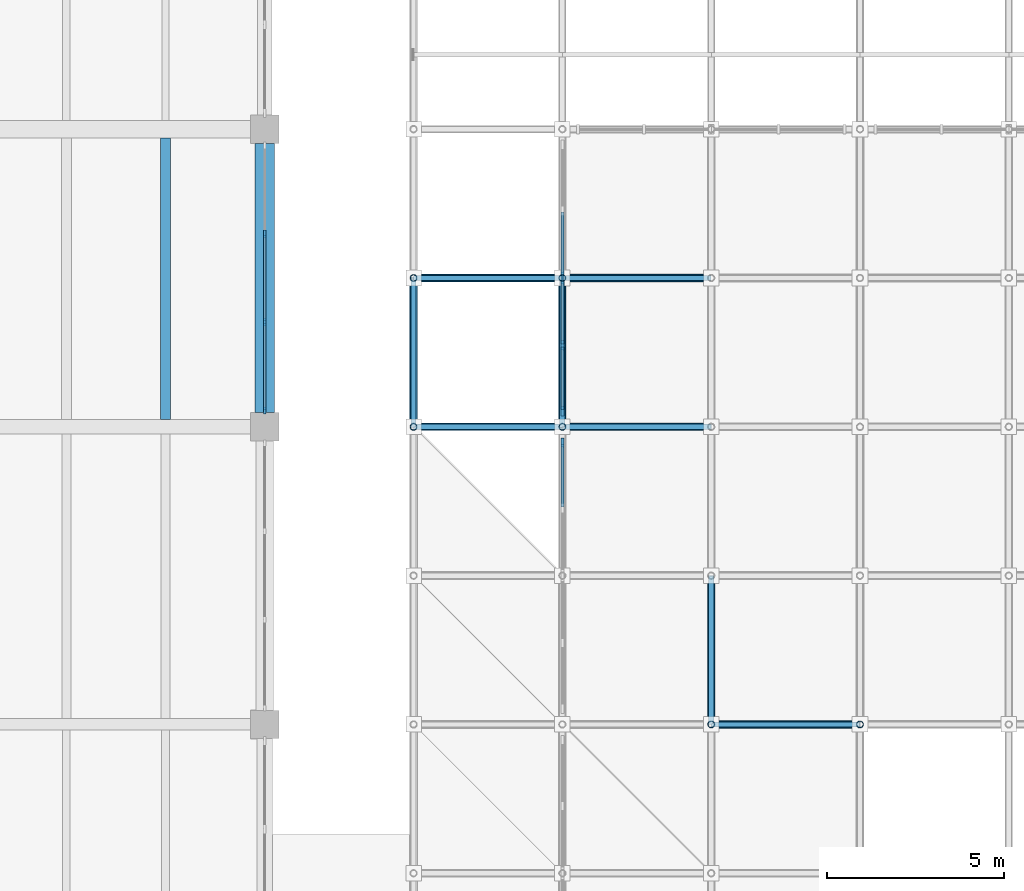
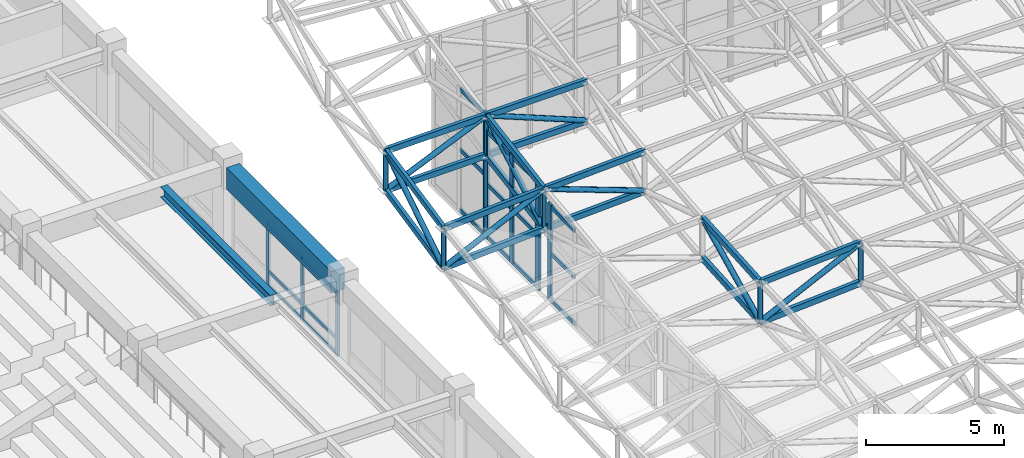
# One storey, part 27 of 132: 56 members, 2 beams, 4 elements without a shape of their own.
"""IFC4 building model written with IfcOpenShell, lengths in metres."""

from ifc_helpers import new_model, si_unit, direction, frame, origin, origin_2d, place, context, subcontext, project, spatial, rectangle, hollow_rectangle, hollow_circle, i_section, extrude, material, material_profile, profile_set, type_object, element, aggregate, save


model = new_model("IFC4")

# Units and contexts
model_context = context("Model", 3, precision=1e-05, world=origin(), true_north=direction((0.0, 1.0)))
body_context = subcontext(model_context, "Body", "Model", "MODEL_VIEW")
ifc_project = project(units=[si_unit("LENGTHUNIT", "METRE"), si_unit("AREAUNIT", "SQUARE_METRE"), si_unit("VOLUMEUNIT", "CUBIC_METRE"), si_unit("PLANEANGLEUNIT", "RADIAN"), si_unit("MASSUNIT", "GRAM", prefix="KILO")], contexts=[model_context])

# Site, building, storey
site_placement = place(None, origin())
site = spatial("IfcSite", under=ifc_project, at=site_placement, CompositionType="ELEMENT")
building_placement = place(site_placement, origin())
building = spatial("IfcBuilding", under=site, at=building_placement, Name="Cumbredor Promenade Congress Hotel", CompositionType="ELEMENT")
storey_placement = place(building_placement, frame((0.0, 0.0, 7.56005859375)))
storey = spatial("IfcBuildingStorey", under=building, at=storey_placement, Name="L02", CompositionType="ELEMENT", Elevation=7.56005859375)

# Beam
ifc_material_1 = material(Name="Concrete C40/50", Category="concrete")
ifc_material_profile_1 = material_profile(ifc_material_1, rectangle(XDim=0.550048828125, YDim=0.949951171875, at=origin_2d()), Name="RC BEAM 550x950")
ifc_profile_set_1 = profile_set([ifc_material_profile_1], Name="Concrete C40/50")
beam_type_1 = type_object("IfcBeamType", Name="BM-RC-550x950", PredefinedType="BEAM", material=ifc_profile_set_1)
beam_1_placement = place(storey_placement, frame((67.199951171875, 42.39990234375, 3.324951171875), z_axis=(0.0, 1.0, 0.0), x_axis=(-1.0, 0.0, 0.0)))
element("IfcBeam", 1, at=beam_1_placement, inside=storey, type_object=beam_type_1, Name="L03 Y-Grid Beam 119", PredefinedType="BEAM", context=body_context, shape_type="SweptSolid", body=[
    extrude(rectangle(XDim=0.550048828125, YDim=0.949951171875, at=origin_2d()), origin(), (0.0, 0.0, 1.0), 7.60009765625),
])

# Curtain wall, members
ifc_material_2 = material(Name="Thermally broken anodized aluminium and low-E glass", Category="aluminium")
curtain_wall_type_1 = type_object("IfcCurtainWallType", Name="Unitised Bronze Curtain Wall CW-01", PredefinedType="NOTDEFINED", material=ifc_material_2)
curtain_wall_1_placement = place(storey_placement, origin())
curtain_wall_1 = element("IfcCurtainWall", 2, at=curtain_wall_1_placement, inside=storey, type_object=curtain_wall_type_1, Name="L02 Plenary Congress Hall East Curtain Wall 5", PredefinedType="NOTDEFINED")
ifc_material_3 = material(Name="Thermally broken anodized aluminium", Category="aluminium")
ifc_material_profile_2 = material_profile(ifc_material_3, rectangle(XDim=0.074951171875, YDim=0.199951171875, at=origin_2d()), Name="ALU MULLION 75x200")
ifc_profile_set_2 = profile_set([ifc_material_profile_2], Name="Thermally broken anodized aluminium")
member_type_1 = type_object("IfcMemberType", Name="Curtain Wall Mullion ML-02", PredefinedType="MULLION", material=ifc_profile_set_2)
member_1_placement = place(storey_placement, frame((67.199951171875, 42.455078125, -0.008056640625), z_axis=(0.0, 0.0, 1.0), x_axis=(1.0, 0.0, 0.0)))
member_1 = element("IfcMember", 3, at=member_1_placement, type_object=member_type_1, Name="L02 Plenary Congress Hall East Curtain Wall 5 Mullion 1", PredefinedType="MULLION", context=body_context, shape_type="SweptSolid", body=[
    extrude(rectangle(XDim=0.074951171875, YDim=0.199951171875, at=origin_2d()), origin(), (0.0, 0.0, 1.0), 2.85107421875),
])
member_2_placement = place(storey_placement, frame((67.199951171875, 44.95166015625, -0.008056640625), z_axis=(0.0, 0.0, 1.0), x_axis=(1.0, 0.0, 0.0)))
member_2 = element("IfcMember", 4, at=member_2_placement, type_object=member_type_1, Name="L02 Plenary Congress Hall East Curtain Wall 5 Mullion 2", PredefinedType="MULLION", context=body_context, shape_type="SweptSolid", body=[
    extrude(rectangle(XDim=0.074951171875, YDim=0.199951171875, at=origin_2d()), origin(), (0.0, 0.0, 1.0), 2.85107421875),
])
member_3_placement = place(storey_placement, frame((67.199951171875, 47.4482421875, -0.008056640625), z_axis=(0.0, 0.0, 1.0), x_axis=(1.0, 0.0, 0.0)))
member_3 = element("IfcMember", 5, at=member_3_placement, type_object=member_type_1, Name="L02 Plenary Congress Hall East Curtain Wall 5 Mullion 3", PredefinedType="MULLION", context=body_context, shape_type="SweptSolid", body=[
    extrude(rectangle(XDim=0.074951171875, YDim=0.199951171875, at=origin_2d()), origin(), (0.0, 0.0, 1.0), 2.85107421875),
])

# Curtain wall, member
curtain_wall_type_2 = type_object("IfcCurtainWallType", Name="Stepped Pavilion Clerestory Curtain Wall CW-06", PredefinedType="NOTDEFINED", material=ifc_material_2)
curtain_wall_2_placement = place(storey_placement, origin())
curtain_wall_2 = element("IfcCurtainWall", 6, at=curtain_wall_2_placement, inside=storey, type_object=curtain_wall_type_2, Name="Thermal Spa and Hydrotherapy Pavilion W Glazed Clerestory 8", PredefinedType="NOTDEFINED")
ifc_material_profile_3 = material_profile(ifc_material_3, rectangle(XDim=0.0849609375, YDim=0.260009765625, at=origin_2d()), Name="ALU MULLION CLERESTORY 85x260")
ifc_profile_set_3 = profile_set([ifc_material_profile_3], Name="Thermally broken anodized aluminium")
member_type_2 = type_object("IfcMemberType", Name="Curtain Wall Mullion ML-04", PredefinedType="MULLION", material=ifc_profile_set_3)
member_4_placement = place(storey_placement, frame((75.60009765625, 41.56005859375, -0.01806640625), z_axis=(0.0, 0.0, 1.0), x_axis=(1.0, 0.0, 0.0)))
member_4 = element("IfcMember", 7, at=member_4_placement, type_object=member_type_2, Name="Thermal Spa and Hydrotherapy Pavilion W Glazed Clerestory 8 Mullion 3", PredefinedType="MULLION", context=body_context, shape_type="SweptSolid", body=[
    extrude(rectangle(XDim=0.0849609375, YDim=0.260009765625, at=origin_2d()), origin(), (0.0, 0.0, 1.0), 4.318359375),
])

# Curtain wall, members
curtain_wall_3_placement = place(storey_placement, origin())
curtain_wall_3 = element("IfcCurtainWall", 8, at=curtain_wall_3_placement, inside=storey, type_object=curtain_wall_type_2, Name="Thermal Spa and Hydrotherapy Pavilion W Glazed Clerestory 9", PredefinedType="NOTDEFINED")
member_5_placement = place(storey_placement, frame((75.60009765625, 42.43994140625, -0.01806640625), z_axis=(0.0, 0.0, 1.0), x_axis=(1.0, 0.0, 0.0)))
member_5 = element("IfcMember", 9, at=member_5_placement, type_object=member_type_2, Name="Thermal Spa and Hydrotherapy Pavilion W Glazed Clerestory 9 Mullion 1", PredefinedType="MULLION", context=body_context, shape_type="SweptSolid", body=[
    extrude(rectangle(XDim=0.0849609375, YDim=0.260009765625, at=origin_2d()), origin(), (0.0, 0.0, 1.0), 4.845947265625),
])
member_6_placement = place(storey_placement, frame((75.60009765625, 44.300048828125, -0.01806640625), z_axis=(0.0, 0.0, 1.0), x_axis=(1.0, 0.0, 0.0)))
member_6 = element("IfcMember", 10, at=member_6_placement, type_object=member_type_2, Name="Thermal Spa and Hydrotherapy Pavilion W Glazed Clerestory 9 Mullion 2", PredefinedType="MULLION", context=body_context, shape_type="SweptSolid", body=[
    extrude(rectangle(XDim=0.0849609375, YDim=0.260009765625, at=origin_2d()), origin(), (0.0, 0.0, 1.0), 4.845947265625),
])
member_7_placement = place(storey_placement, frame((75.60009765625, 46.159912109375, -0.01806640625), z_axis=(0.0, 0.0, 1.0), x_axis=(1.0, 0.0, 0.0)))
member_7 = element("IfcMember", 11, at=member_7_placement, type_object=member_type_2, Name="Thermal Spa and Hydrotherapy Pavilion W Glazed Clerestory 9 Mullion 3", PredefinedType="MULLION", context=body_context, shape_type="SweptSolid", body=[
    extrude(rectangle(XDim=0.0849609375, YDim=0.260009765625, at=origin_2d()), origin(), (0.0, 0.0, 1.0), 4.845947265625),
])

# Curtain wall, member
curtain_wall_4_placement = place(storey_placement, origin())
curtain_wall_4 = element("IfcCurtainWall", 12, at=curtain_wall_4_placement, inside=storey, type_object=curtain_wall_type_2, Name="Thermal Spa and Hydrotherapy Pavilion W Glazed Clerestory 10", PredefinedType="NOTDEFINED")
member_8_placement = place(storey_placement, frame((75.60009765625, 46.239990234375, -0.01806640625), z_axis=(0.0, 0.0, 1.0), x_axis=(1.0, 0.0, 0.0)))
member_8 = element("IfcMember", 13, at=member_8_placement, type_object=member_type_2, Name="Thermal Spa and Hydrotherapy Pavilion W Glazed Clerestory 10 Mullion 1", PredefinedType="MULLION", context=body_context, shape_type="SweptSolid", body=[
    extrude(rectangle(XDim=0.0849609375, YDim=0.260009765625, at=origin_2d()), origin(), (0.0, 0.0, 1.0), 5.54931640625),
])

# Member
ifc_material_profile_4 = material_profile(ifc_material_3, rectangle(XDim=0.074951171875, YDim=0.14990234375, at=origin_2d()), Name="ALU TRANSOM 75x150")
ifc_profile_set_4 = profile_set([ifc_material_profile_4], Name="Thermally broken anodized aluminium")
member_type_3 = type_object("IfcMemberType", Name="Curtain Wall Transom TR-02", PredefinedType="USERDEFINED", material=ifc_profile_set_4)
member_9_placement = place(storey_placement, frame((67.199951171875, 42.492431640625, 0.06982421875), z_axis=(0.0, 1.0, 0.0), x_axis=(-1.0, 0.0, 0.0)))
member_9 = element("IfcMember", 14, at=member_9_placement, type_object=member_type_3, Name="L02 Plenary Congress Hall East Curtain Wall 5 Transom 1.1", ObjectType="TRANSOM", PredefinedType="USERDEFINED", context=body_context, shape_type="SweptSolid", body=[
    extrude(rectangle(XDim=0.074951171875, YDim=0.14990234375, at=origin_2d()), origin(), (0.0, 0.0, 1.0), 2.421875),
])

member_10_placement = place(storey_placement, frame((67.199951171875, 42.492431640625, 0.719970703125), z_axis=(0.0, 1.0, 0.0), x_axis=(-1.0, 0.0, 0.0)))
member_10 = element("IfcMember", 15, at=member_10_placement, type_object=member_type_3, Name="L02 Plenary Congress Hall East Curtain Wall 5 Transom 1.2", ObjectType="TRANSOM", PredefinedType="USERDEFINED", context=body_context, shape_type="SweptSolid", body=[
    extrude(rectangle(XDim=0.074951171875, YDim=0.14990234375, at=origin_2d()), origin(), (0.0, 0.0, 1.0), 2.421875),
])

member_11_placement = place(storey_placement, frame((67.199951171875, 42.492431640625, 2.760009765625), z_axis=(0.0, 1.0, 0.0), x_axis=(-1.0, 0.0, 0.0)))
member_11 = element("IfcMember", 16, at=member_11_placement, type_object=member_type_3, Name="L02 Plenary Congress Hall East Curtain Wall 5 Transom 1.3", ObjectType="TRANSOM", PredefinedType="USERDEFINED", context=body_context, shape_type="SweptSolid", body=[
    extrude(rectangle(XDim=0.074951171875, YDim=0.14990234375, at=origin_2d()), origin(), (0.0, 0.0, 1.0), 2.421875),
])

member_12_placement = place(storey_placement, frame((67.199951171875, 44.9892578125, 0.06982421875), z_axis=(0.0, 1.0, 0.0), x_axis=(-1.0, 0.0, 0.0)))
member_12 = element("IfcMember", 17, at=member_12_placement, type_object=member_type_3, Name="L02 Plenary Congress Hall East Curtain Wall 5 Transom 2.1", ObjectType="TRANSOM", PredefinedType="USERDEFINED", context=body_context, shape_type="SweptSolid", body=[
    extrude(rectangle(XDim=0.074951171875, YDim=0.14990234375, at=origin_2d()), origin(), (0.0, 0.0, 1.0), 2.421630859375),
])

member_13_placement = place(storey_placement, frame((67.199951171875, 44.9892578125, 0.719970703125), z_axis=(0.0, 1.0, 0.0), x_axis=(-1.0, 0.0, 0.0)))
member_13 = element("IfcMember", 18, at=member_13_placement, type_object=member_type_3, Name="L02 Plenary Congress Hall East Curtain Wall 5 Transom 2.2", ObjectType="TRANSOM", PredefinedType="USERDEFINED", context=body_context, shape_type="SweptSolid", body=[
    extrude(rectangle(XDim=0.074951171875, YDim=0.14990234375, at=origin_2d()), origin(), (0.0, 0.0, 1.0), 2.421630859375),
])

member_14_placement = place(storey_placement, frame((67.199951171875, 44.9892578125, 2.760009765625), z_axis=(0.0, 1.0, 0.0), x_axis=(-1.0, 0.0, 0.0)))
member_14 = element("IfcMember", 19, at=member_14_placement, type_object=member_type_3, Name="L02 Plenary Congress Hall East Curtain Wall 5 Transom 2.3", ObjectType="TRANSOM", PredefinedType="USERDEFINED", context=body_context, shape_type="SweptSolid", body=[
    extrude(rectangle(XDim=0.074951171875, YDim=0.14990234375, at=origin_2d()), origin(), (0.0, 0.0, 1.0), 2.421630859375),
])

aggregate(curtain_wall_1, [member_1, member_2, member_3, member_9, member_10, member_11, member_12, member_13, member_14])

ifc_material_profile_5 = material_profile(ifc_material_3, rectangle(XDim=0.080078125, YDim=0.179931640625, at=origin_2d()), Name="ALU TRANSOM 80x180")
ifc_profile_set_5 = profile_set([ifc_material_profile_5], Name="Thermally broken anodized aluminium")
member_type_4 = type_object("IfcMemberType", Name="Curtain Wall Transom TR-03", PredefinedType="USERDEFINED", material=ifc_profile_set_5)
member_15_placement = place(storey_placement, frame((75.60009765625, 39.742431640625, 0.079833984375), z_axis=(0.0, 1.0, 0.0), x_axis=(-1.0, 0.0, 0.0)))
member_15 = element("IfcMember", 20, at=member_15_placement, type_object=member_type_4, Name="Thermal Spa and Hydrotherapy Pavilion W Glazed Clerestory 8 Transom 2.1", ObjectType="TRANSOM", PredefinedType="USERDEFINED", context=body_context, shape_type="SweptSolid", body=[
    extrude(rectangle(XDim=0.080078125, YDim=0.179931640625, at=origin_2d()), origin(), (0.0, 0.0, 1.0), 1.775146484375),
])

member_16_placement = place(storey_placement, frame((75.60009765625, 39.742431640625, 2.139892578125), z_axis=(0.0, 1.0, 0.0), x_axis=(-1.0, 0.0, 0.0)))
member_16 = element("IfcMember", 21, at=member_16_placement, type_object=member_type_4, Name="Thermal Spa and Hydrotherapy Pavilion W Glazed Clerestory 8 Transom 2.2", ObjectType="TRANSOM", PredefinedType="USERDEFINED", context=body_context, shape_type="SweptSolid", body=[
    extrude(rectangle(XDim=0.080078125, YDim=0.179931640625, at=origin_2d()), origin(), (0.0, 0.0, 1.0), 1.775146484375),
])

member_17_placement = place(storey_placement, frame((75.60009765625, 39.742431640625, 4.199951171875), z_axis=(0.0, 1.0, 0.0), x_axis=(-1.0, 0.0, 0.0)))
member_17 = element("IfcMember", 22, at=member_17_placement, type_object=member_type_4, Name="Thermal Spa and Hydrotherapy Pavilion W Glazed Clerestory 8 Transom 2.3", ObjectType="TRANSOM", PredefinedType="USERDEFINED", context=body_context, shape_type="SweptSolid", body=[
    extrude(rectangle(XDim=0.080078125, YDim=0.179931640625, at=origin_2d()), origin(), (0.0, 0.0, 1.0), 1.775146484375),
])

aggregate(curtain_wall_2, [member_4, member_15, member_16, member_17])

member_18_placement = place(storey_placement, frame((75.60009765625, 42.482421875, 0.079833984375), z_axis=(0.0, 1.0, 0.0), x_axis=(-1.0, 0.0, 0.0)))
member_18 = element("IfcMember", 23, at=member_18_placement, type_object=member_type_4, Name="Thermal Spa and Hydrotherapy Pavilion W Glazed Clerestory 9 Transom 1.1", ObjectType="TRANSOM", PredefinedType="USERDEFINED", context=body_context, shape_type="SweptSolid", body=[
    extrude(rectangle(XDim=0.080078125, YDim=0.179931640625, at=origin_2d()), origin(), (0.0, 0.0, 1.0), 1.775146484375),
])

member_19_placement = place(storey_placement, frame((75.60009765625, 42.482421875, 2.39990234375), z_axis=(0.0, 1.0, 0.0), x_axis=(-1.0, 0.0, 0.0)))
member_19 = element("IfcMember", 24, at=member_19_placement, type_object=member_type_4, Name="Thermal Spa and Hydrotherapy Pavilion W Glazed Clerestory 9 Transom 1.2", ObjectType="TRANSOM", PredefinedType="USERDEFINED", context=body_context, shape_type="SweptSolid", body=[
    extrude(rectangle(XDim=0.080078125, YDim=0.179931640625, at=origin_2d()), origin(), (0.0, 0.0, 1.0), 1.775146484375),
])

member_20_placement = place(storey_placement, frame((75.60009765625, 42.482421875, 4.72998046875), z_axis=(0.0, 1.0, 0.0), x_axis=(-1.0, 0.0, 0.0)))
member_20 = element("IfcMember", 25, at=member_20_placement, type_object=member_type_4, Name="Thermal Spa and Hydrotherapy Pavilion W Glazed Clerestory 9 Transom 1.3", ObjectType="TRANSOM", PredefinedType="USERDEFINED", context=body_context, shape_type="SweptSolid", body=[
    extrude(rectangle(XDim=0.080078125, YDim=0.179931640625, at=origin_2d()), origin(), (0.0, 0.0, 1.0), 1.775146484375),
])

member_21_placement = place(storey_placement, frame((75.60009765625, 44.342529296875, 0.079833984375), z_axis=(0.0, 1.0, 0.0), x_axis=(-1.0, 0.0, 0.0)))
member_21 = element("IfcMember", 26, at=member_21_placement, type_object=member_type_4, Name="Thermal Spa and Hydrotherapy Pavilion W Glazed Clerestory 9 Transom 2.1", ObjectType="TRANSOM", PredefinedType="USERDEFINED", context=body_context, shape_type="SweptSolid", body=[
    extrude(rectangle(XDim=0.080078125, YDim=0.179931640625, at=origin_2d()), origin(), (0.0, 0.0, 1.0), 1.77490234375),
])

member_22_placement = place(storey_placement, frame((75.60009765625, 44.342529296875, 2.39990234375), z_axis=(0.0, 1.0, 0.0), x_axis=(-1.0, 0.0, 0.0)))
member_22 = element("IfcMember", 27, at=member_22_placement, type_object=member_type_4, Name="Thermal Spa and Hydrotherapy Pavilion W Glazed Clerestory 9 Transom 2.2", ObjectType="TRANSOM", PredefinedType="USERDEFINED", context=body_context, shape_type="SweptSolid", body=[
    extrude(rectangle(XDim=0.080078125, YDim=0.179931640625, at=origin_2d()), origin(), (0.0, 0.0, 1.0), 1.77490234375),
])

member_23_placement = place(storey_placement, frame((75.60009765625, 44.342529296875, 4.72998046875), z_axis=(0.0, 1.0, 0.0), x_axis=(-1.0, 0.0, 0.0)))
member_23 = element("IfcMember", 28, at=member_23_placement, type_object=member_type_4, Name="Thermal Spa and Hydrotherapy Pavilion W Glazed Clerestory 9 Transom 2.3", ObjectType="TRANSOM", PredefinedType="USERDEFINED", context=body_context, shape_type="SweptSolid", body=[
    extrude(rectangle(XDim=0.080078125, YDim=0.179931640625, at=origin_2d()), origin(), (0.0, 0.0, 1.0), 1.77490234375),
])

aggregate(curtain_wall_3, [member_5, member_6, member_7, member_18, member_19, member_20, member_21, member_22, member_23])

member_24_placement = place(storey_placement, frame((75.60009765625, 46.282470703125, 0.079833984375), z_axis=(0.0, 1.0, 0.0), x_axis=(-1.0, 0.0, 0.0)))
member_24 = element("IfcMember", 29, at=member_24_placement, type_object=member_type_4, Name="Thermal Spa and Hydrotherapy Pavilion W Glazed Clerestory 10 Transom 1.1", ObjectType="TRANSOM", PredefinedType="USERDEFINED", context=body_context, shape_type="SweptSolid", body=[
    extrude(rectangle(XDim=0.080078125, YDim=0.179931640625, at=origin_2d()), origin(), (0.0, 0.0, 1.0), 1.775146484375),
])

member_25_placement = place(storey_placement, frame((75.60009765625, 46.282470703125, 2.75), z_axis=(0.0, 1.0, 0.0), x_axis=(-1.0, 0.0, 0.0)))
member_25 = element("IfcMember", 30, at=member_25_placement, type_object=member_type_4, Name="Thermal Spa and Hydrotherapy Pavilion W Glazed Clerestory 10 Transom 1.2", ObjectType="TRANSOM", PredefinedType="USERDEFINED", context=body_context, shape_type="SweptSolid", body=[
    extrude(rectangle(XDim=0.080078125, YDim=0.179931640625, at=origin_2d()), origin(), (0.0, 0.0, 1.0), 1.775146484375),
])

member_26_placement = place(storey_placement, frame((75.60009765625, 46.282470703125, 5.429931640625), z_axis=(0.0, 1.0, 0.0), x_axis=(-1.0, 0.0, 0.0)))
member_26 = element("IfcMember", 31, at=member_26_placement, type_object=member_type_4, Name="Thermal Spa and Hydrotherapy Pavilion W Glazed Clerestory 10 Transom 1.3", ObjectType="TRANSOM", PredefinedType="USERDEFINED", context=body_context, shape_type="SweptSolid", body=[
    extrude(rectangle(XDim=0.080078125, YDim=0.179931640625, at=origin_2d()), origin(), (0.0, 0.0, 1.0), 1.775146484375),
])

aggregate(curtain_wall_4, [member_8, member_24, member_25, member_26])

# Beam
ifc_material_4 = material(Name="Steel ASTM A992 Grade 50", Category="steel")
ifc_material_profile_6 = material_profile(ifc_material_4, i_section(OverallWidth=0.280029296875, OverallDepth=0.462890625, WebThickness=0.0107421875, FlangeThickness=0.017333984375, at=origin_2d()), Name="W18X76")
ifc_profile_set_6 = profile_set([ifc_material_profile_6], Name="Steel ASTM A992 Grade 50")
beam_type_2 = type_object("IfcBeamType", Name="JST-W18X76", PredefinedType="JOIST", material=ifc_profile_set_6)
beam_2_placement = place(storey_placement, frame((64.39990234375, 42.199951171875, 3.568359375), z_axis=(0.0, 1.0, 0.0), x_axis=(-1.0, 0.0, 0.0)))
element("IfcBeam", 32, at=beam_2_placement, inside=storey, type_object=beam_type_2, Name="L03 Secondary Floor Joist 0055", PredefinedType="JOIST", context=body_context, shape_type="SweptSolid", body=[
    extrude(i_section(OverallWidth=0.280029296875, OverallDepth=0.462890625, WebThickness=0.0107421875, FlangeThickness=0.017333984375, at=origin_2d()), origin(), (0.0, 0.0, 1.0), 7.949951171875),
])

# Members
ifc_material_5 = material(Name="Steel ASTM A500 Grade C", Category="steel")
ifc_material_profile_7 = material_profile(ifc_material_5, hollow_rectangle(XDim=0.14990234375, YDim=0.25, WallThickness=0.012451171875, at=origin_2d()), Name="HSS 250x150x12.5")
ifc_profile_set_7 = profile_set([ifc_material_profile_7], Name="Steel ASTM A500 Grade C")
member_type_5 = type_object("IfcMemberType", Name="Spa Roof Space Frame Chord", PredefinedType="CHORD", material=ifc_profile_set_7)
for number, where, z_axis, x_axis, name in (
    (33, (79.800048828125, 33.60009765625, 4.17822265625), (0.997906149499, 0.0, 0.064678565174), (0.0, 1.0, 0.0), "Thermal Spa and Hydrotherapy Pavilion X Top Chord 3.9"),
    (34, (79.800048828125, 33.60009765625, 2.42822265625), (0.997906149499, 0.0, 0.064678565174), (0.0, 1.0, 0.0), "Thermal Spa and Hydrotherapy Pavilion X Bottom Chord 3.9"),
):
    element("IfcMember", number, at=place(storey_placement, frame(where, z_axis=z_axis, x_axis=x_axis)), inside=storey, type_object=member_type_5, Name=name, PredefinedType="CHORD", context=body_context, shape_type="SweptSolid", body=[
        extrude(hollow_rectangle(XDim=0.14990234375, YDim=0.25, WallThickness=0.012451171875, at=origin_2d()), origin(), (0.0, 0.0, 1.0), 4.208740234375),
    ])
for number, where, z_axis, x_axis, name in (
    (35, (71.39990234375, 42.0, 4.418701171875), (0.998114386185, 0.0, 0.061381365995), (0.0, 1.0, 0.0), "Thermal Spa and Hydrotherapy Pavilion X Top Chord 1.11"),
    (36, (71.39990234375, 42.0, 2.668701171875), (0.998114386185, 0.0, 0.061381365995), (0.0, 1.0, 0.0), "Thermal Spa and Hydrotherapy Pavilion X Bottom Chord 1.11"),
):
    element("IfcMember", number, at=place(storey_placement, frame(where, z_axis=z_axis, x_axis=x_axis)), inside=storey, type_object=member_type_5, Name=name, PredefinedType="CHORD", context=body_context, shape_type="SweptSolid", body=[
        extrude(hollow_rectangle(XDim=0.14990234375, YDim=0.25, WallThickness=0.012451171875, at=origin_2d()), origin(), (0.0, 0.0, 1.0), 4.208251953125),
    ])
for number, where, z_axis, x_axis, name in (
    (37, (75.60009765625, 42.0, 4.677001953125), (0.99883532584, 0.0, 0.048249267905), (0.0, 1.0, 0.0), "Thermal Spa and Hydrotherapy Pavilion X Top Chord 2.11"),
    (38, (75.60009765625, 42.0, 2.927001953125), (0.99883532584, 0.0, 0.048249267905), (0.0, 1.0, 0.0), "Thermal Spa and Hydrotherapy Pavilion X Bottom Chord 2.11"),
):
    element("IfcMember", number, at=place(storey_placement, frame(where, z_axis=z_axis, x_axis=x_axis)), inside=storey, type_object=member_type_5, Name=name, PredefinedType="CHORD", context=body_context, shape_type="SweptSolid", body=[
        extrude(hollow_rectangle(XDim=0.14990234375, YDim=0.25, WallThickness=0.012451171875, at=origin_2d()), origin(), (0.0, 0.0, 1.0), 4.204833984375),
    ])
for number, where, z_axis, x_axis, name in (
    (39, (71.39990234375, 46.199951171875, 5.30615234375), (0.999844941573, 0.0, 0.017609452296), (0.0, 1.0, 0.0), "Thermal Spa and Hydrotherapy Pavilion X Top Chord 1.12"),
    (40, (71.39990234375, 46.199951171875, 3.55615234375), (0.999844941573, 0.0, 0.017609452296), (0.0, 1.0, 0.0), "Thermal Spa and Hydrotherapy Pavilion X Bottom Chord 1.12"),
):
    element("IfcMember", number, at=place(storey_placement, frame(where, z_axis=z_axis, x_axis=x_axis)), inside=storey, type_object=member_type_5, Name=name, PredefinedType="CHORD", context=body_context, shape_type="SweptSolid", body=[
        extrude(hollow_rectangle(XDim=0.14990234375, YDim=0.25, WallThickness=0.012451171875, at=origin_2d()), origin(), (0.0, 0.0, 1.0), 4.200927734375),
    ])
for number, where, z_axis, x_axis, name in (
    (41, (75.60009765625, 46.199951171875, 5.380126953125), (0.99989526494, 0.0, 0.014472703655), (0.0, 1.0, 0.0), "Thermal Spa and Hydrotherapy Pavilion X Top Chord 2.12"),
    (42, (75.60009765625, 46.199951171875, 3.630126953125), (0.99989526494, 0.0, 0.014472703655), (0.0, 1.0, 0.0), "Thermal Spa and Hydrotherapy Pavilion X Bottom Chord 2.12"),
):
    element("IfcMember", number, at=place(storey_placement, frame(where, z_axis=z_axis, x_axis=x_axis)), inside=storey, type_object=member_type_5, Name=name, PredefinedType="CHORD", context=body_context, shape_type="SweptSolid", body=[
        extrude(hollow_rectangle(XDim=0.14990234375, YDim=0.25, WallThickness=0.012451171875, at=origin_2d()), origin(), (0.0, 0.0, 1.0), 4.200439453125),
    ])
for number, where, z_axis, x_axis, name in (
    (43, (71.39990234375, 42.0, 4.418701171875), (0.0, 0.978396847579, 0.206735600823), (-1.0, 0.0, 0.0), "Thermal Spa and Hydrotherapy Pavilion Y Top Chord 1.11"),
    (44, (71.39990234375, 42.0, 2.668701171875), (0.0, 0.978396847579, 0.206735600823), (-1.0, 0.0, 0.0), "Thermal Spa and Hydrotherapy Pavilion Y Bottom Chord 1.11"),
):
    element("IfcMember", number, at=place(storey_placement, frame(where, z_axis=z_axis, x_axis=x_axis)), inside=storey, type_object=member_type_5, Name=name, PredefinedType="CHORD", context=body_context, shape_type="SweptSolid", body=[
        extrude(hollow_rectangle(XDim=0.14990234375, YDim=0.25, WallThickness=0.012451171875, at=origin_2d()), origin(), (0.0, 0.0, 1.0), 4.292724609375),
    ])
for number, where, z_axis, x_axis, name in (
    (45, (75.60009765625, 42.0, 4.677001953125), (0.0, 0.986274352496, 0.165114813416), (-1.0, 0.0, 0.0), "Thermal Spa and Hydrotherapy Pavilion Y Top Chord 2.11"),
    (46, (75.60009765625, 42.0, 2.927001953125), (0.0, 0.986274352496, 0.165114813416), (-1.0, 0.0, 0.0), "Thermal Spa and Hydrotherapy Pavilion Y Bottom Chord 2.11"),
):
    element("IfcMember", number, at=place(storey_placement, frame(where, z_axis=z_axis, x_axis=x_axis)), inside=storey, type_object=member_type_5, Name=name, PredefinedType="CHORD", context=body_context, shape_type="SweptSolid", body=[
        extrude(hollow_rectangle(XDim=0.14990234375, YDim=0.25, WallThickness=0.012451171875, at=origin_2d()), origin(), (0.0, 0.0, 1.0), 4.25830078125),
    ])
for number, where, z_axis, x_axis, name in (
    (47, (79.800048828125, 33.60009765625, 4.17822265625), (0.0, 0.997773079517, 0.066699938467), (-1.0, 0.0, 0.0), "Thermal Spa and Hydrotherapy Pavilion Y Top Chord 3.9"),
    (48, (79.800048828125, 33.60009765625, 2.42822265625), (0.0, 0.997773079517, 0.066699938467), (-1.0, 0.0, 0.0), "Thermal Spa and Hydrotherapy Pavilion Y Bottom Chord 3.9"),
):
    element("IfcMember", number, at=place(storey_placement, frame(where, z_axis=z_axis, x_axis=x_axis)), inside=storey, type_object=member_type_5, Name=name, PredefinedType="CHORD", context=body_context, shape_type="SweptSolid", body=[
        extrude(hollow_rectangle(XDim=0.14990234375, YDim=0.25, WallThickness=0.012451171875, at=origin_2d()), origin(), (0.0, 0.0, 1.0), 4.209228515625),
    ])
ifc_material_profile_8 = material_profile(ifc_material_5, hollow_circle(Radius=0.109619140625, WallThickness=0.012451171875, at=origin_2d()), Name="CHS 219.1x12.5")
ifc_profile_set_8 = profile_set([ifc_material_profile_8], Name="Steel ASTM A500 Grade C")
member_type_6 = type_object("IfcMemberType", Name="Space Frame Web Diagonal D1", PredefinedType="BRACE", material=ifc_profile_set_8)
member_27_placement = place(storey_placement, frame((79.800048828125, 33.60009765625, 2.42822265625), z_axis=(0.90100015334, 0.0, 0.433818768245), x_axis=(0.0, 1.0, 0.0)))
element("IfcMember", 49, at=member_27_placement, inside=storey, type_object=member_type_6, Name="Thermal Spa and Hydrotherapy Pavilion X Web Diagonal 3.9", PredefinedType="BRACE", context=body_context, shape_type="SweptSolid", body=[
    extrude(hollow_circle(Radius=0.109619140625, WallThickness=0.012451171875, at=origin_2d()), origin(), (0.0, 0.0, 1.0), 4.661376953125),
])
member_28_placement = place(storey_placement, frame((71.39990234375, 42.0, 2.668701171875), z_axis=(0.902175039998, 0.0, 0.431370139446), x_axis=(0.0, 1.0, 0.0)))
element("IfcMember", 50, at=member_28_placement, inside=storey, type_object=member_type_6, Name="Thermal Spa and Hydrotherapy Pavilion X Web Diagonal 1.11", PredefinedType="BRACE", context=body_context, shape_type="SweptSolid", body=[
    extrude(hollow_circle(Radius=0.109619140625, WallThickness=0.012451171875, at=origin_2d()), origin(), (0.0, 0.0, 1.0), 4.655517578125),
])
member_29_placement = place(storey_placement, frame((75.60009765625, 42.0, 4.677001953125), z_axis=(0.938359878721, 0.0, -0.34565985883), x_axis=(0.0, 1.0, 0.0)))
element("IfcMember", 51, at=member_29_placement, inside=storey, type_object=member_type_6, Name="Thermal Spa and Hydrotherapy Pavilion X Web Diagonal 2.11", PredefinedType="BRACE", context=body_context, shape_type="SweptSolid", body=[
    extrude(hollow_circle(Radius=0.109619140625, WallThickness=0.012451171875, at=origin_2d()), origin(), (0.0, 0.0, 1.0), 4.475830078125),
])
member_30_placement = place(storey_placement, frame((71.39990234375, 46.199951171875, 3.55615234375), z_axis=(0.91724542653, 0.0, 0.39832251695), x_axis=(0.0, 1.0, 0.0)))
element("IfcMember", 52, at=member_30_placement, inside=storey, type_object=member_type_6, Name="Thermal Spa and Hydrotherapy Pavilion X Web Diagonal 1.12", PredefinedType="BRACE", context=body_context, shape_type="SweptSolid", body=[
    extrude(hollow_circle(Radius=0.109619140625, WallThickness=0.012451171875, at=origin_2d()), origin(), (0.0, 0.0, 1.0), 4.5791015625),
])
member_31_placement = place(storey_placement, frame((75.60009765625, 46.199951171875, 5.380126953125), z_axis=(0.927772067225, 0.0, -0.373147412261), x_axis=(0.0, 1.0, 0.0)))
element("IfcMember", 53, at=member_31_placement, inside=storey, type_object=member_type_6, Name="Thermal Spa and Hydrotherapy Pavilion X Web Diagonal 2.12", PredefinedType="BRACE", context=body_context, shape_type="SweptSolid", body=[
    extrude(hollow_circle(Radius=0.109619140625, WallThickness=0.012451171875, at=origin_2d()), origin(), (0.0, 0.0, 1.0), 4.52685546875),
])
member_32_placement = place(storey_placement, frame((71.39990234375, 42.0, 2.668701171875), z_axis=(0.0, 0.846865240386, 0.531807544724), x_axis=(-1.0, 0.0, 0.0)))
element("IfcMember", 54, at=member_32_placement, inside=storey, type_object=member_type_6, Name="Thermal Spa and Hydrotherapy Pavilion Y Web Diagonal 1.11", PredefinedType="BRACE", context=body_context, shape_type="SweptSolid", body=[
    extrude(hollow_circle(Radius=0.109619140625, WallThickness=0.012451171875, at=origin_2d()), origin(), (0.0, 0.0, 1.0), 4.95947265625),
])
member_33_placement = place(storey_placement, frame((75.60009765625, 42.0, 2.927001953125), z_axis=(0.0, 0.863496583733, 0.504354686586), x_axis=(-1.0, 0.0, 0.0)))
element("IfcMember", 55, at=member_33_placement, inside=storey, type_object=member_type_6, Name="Thermal Spa and Hydrotherapy Pavilion Y Web Diagonal 2.11", PredefinedType="BRACE", context=body_context, shape_type="SweptSolid", body=[
    extrude(hollow_circle(Radius=0.109619140625, WallThickness=0.012451171875, at=origin_2d()), origin(), (0.0, 0.0, 1.0), 4.86376953125),
])
member_34_placement = place(storey_placement, frame((79.800048828125, 33.60009765625, 2.42822265625), z_axis=(0.0, 0.900282987248, 0.435305114685), x_axis=(-1.0, 0.0, 0.0)))
element("IfcMember", 56, at=member_34_placement, inside=storey, type_object=member_type_6, Name="Thermal Spa and Hydrotherapy Pavilion Y Web Diagonal 3.9", PredefinedType="BRACE", context=body_context, shape_type="SweptSolid", body=[
    extrude(hollow_circle(Radius=0.109619140625, WallThickness=0.012451171875, at=origin_2d()), origin(), (0.0, 0.0, 1.0), 4.6650390625),
])
ifc_material_profile_9 = material_profile(ifc_material_5, hollow_circle(Radius=0.096923828125, WallThickness=0.010009765625, at=origin_2d()), Name="CHS 193.7x10")
ifc_profile_set_9 = profile_set([ifc_material_profile_9], Name="Steel ASTM A500 Grade C")
member_type_7 = type_object("IfcMemberType", Name="Space Frame Web Post P1", PredefinedType="BRACE", material=ifc_profile_set_9)
for number, where, z_axis, x_axis, name in (
    (57, (71.39990234375, 42.0, 2.668701171875), (0.0, 0.0, 1.0), (1.0, 0.0, 0.0), "Thermal Spa and Hydrotherapy Pavilion Space Frame Web Post 1.11"),
    (58, (71.39990234375, 46.199951171875, 3.55615234375), (0.0, 0.0, 1.0), (1.0, 0.0, 0.0), "Thermal Spa and Hydrotherapy Pavilion Space Frame Web Post 1.12"),
    (59, (75.60009765625, 42.0, 2.927001953125), (0.0, 0.0, 1.0), (1.0, 0.0, 0.0), "Thermal Spa and Hydrotherapy Pavilion Space Frame Web Post 2.11"),
    (60, (75.60009765625, 46.199951171875, 3.630126953125), (0.0, 0.0, 1.0), (1.0, 0.0, 0.0), "Thermal Spa and Hydrotherapy Pavilion Space Frame Web Post 2.12"),
    (61, (79.800048828125, 33.60009765625, 2.42822265625), (0.0, 0.0, 1.0), (1.0, 0.0, 0.0), "Thermal Spa and Hydrotherapy Pavilion Space Frame Web Post 3.9"),
    (62, (84.0, 33.60009765625, 2.700439453125), (0.0, 0.0, 1.0), (1.0, 0.0, 0.0), "Thermal Spa and Hydrotherapy Pavilion Space Frame Web Post 4.9"),
):
    element("IfcMember", number, at=place(storey_placement, frame(where, z_axis=z_axis, x_axis=x_axis)), inside=storey, type_object=member_type_7, Name=name, PredefinedType="BRACE", context=body_context, shape_type="SweptSolid", body=[
        extrude(hollow_circle(Radius=0.096923828125, WallThickness=0.010009765625, at=origin_2d()), origin(), (0.0, 0.0, 1.0), 1.75),
    ])

save(model, "model.ifc")
